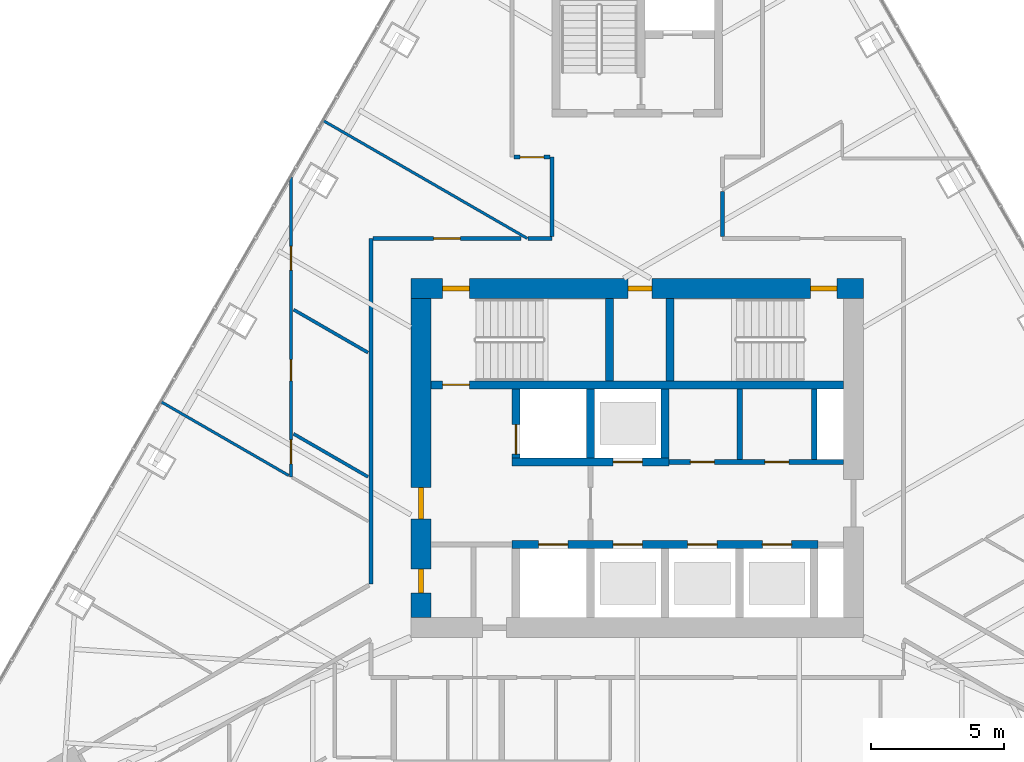
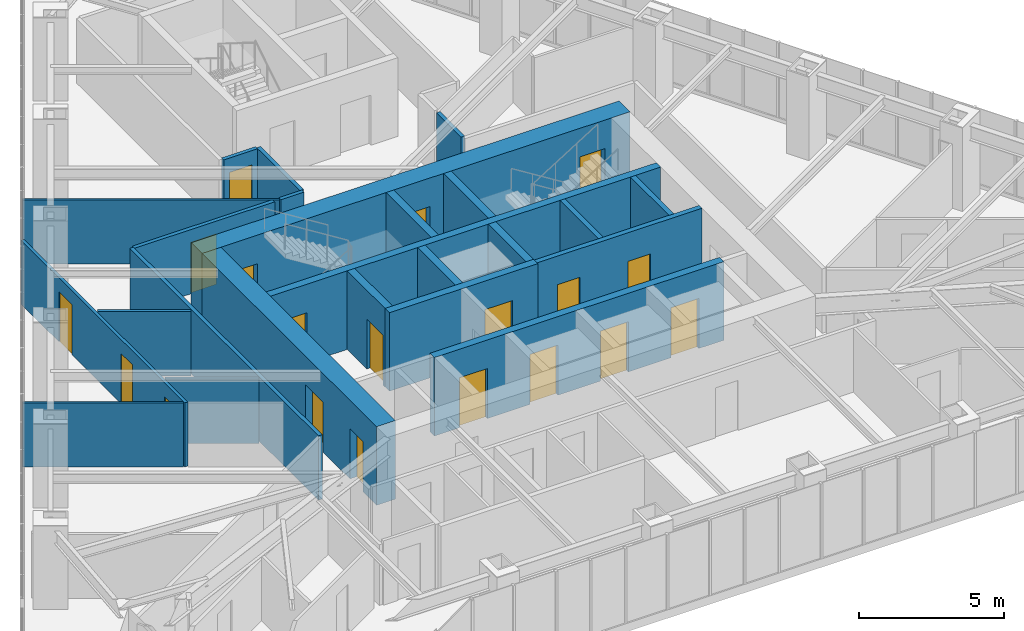
# One storey, part 16 of 20: 24 walls, 19 doors, 19 openings.
"""IFC4 building model written with IfcOpenShell, lengths in metres."""

from ifc_helpers import new_model, si_unit, direction, frame, frame_2d, origin, place, context, subcontext, project, spatial, rectangle, extrude, material, layer, layer_set, type_object, element, fill, save


model = new_model("IFC4")

# Units and contexts
model_context = context("Model", 3, precision=1e-05, world=origin(), true_north=direction((0.0, 1.0)))
body_context = subcontext(model_context, "Body", "Model", "MODEL_VIEW")
ifc_project = project(units=[si_unit("LENGTHUNIT", "METRE"), si_unit("AREAUNIT", "SQUARE_METRE"), si_unit("VOLUMEUNIT", "CUBIC_METRE"), si_unit("PLANEANGLEUNIT", "RADIAN"), si_unit("MASSUNIT", "GRAM", prefix="KILO")], contexts=[model_context])

# Site, building, storey
site_placement = place(None, origin())
site = spatial("IfcSite", under=ifc_project, at=site_placement, CompositionType="ELEMENT")
building_placement = place(site_placement, origin())
building = spatial("IfcBuilding", under=site, at=building_placement, Name="Firuza Gate Tower and Library", CompositionType="ELEMENT")
storey_placement = place(building_placement, frame((0.0, 0.0, 305.60009765625)))
storey = spatial("IfcBuildingStorey", under=building, at=storey_placement, Name="L74", CompositionType="ELEMENT", Elevation=305.60009765625)

# Wall, openings, doors
ifc_material_1 = material(Name="Plasterboard on steel studs", Category="steel")
ifc_layer_1 = layer(ifc_material_1, 0.199951171875)
ifc_layer_set_1 = layer_set([ifc_layer_1], Name="Core partition 200 EI 120")
wall_type_1 = type_object("IfcWallType", Name="Core partition 200 EI 120", PredefinedType="PARTITIONING", material=ifc_layer_set_1)
wall_1_placement = place(storey_placement, frame((76.199951171875, 74.85009765625, 0.0), z_axis=(0.0, 0.0, 1.0), x_axis=(1.0, 0.0, 0.0)))
wall_1 = element("IfcWall", 1, at=wall_1_placement, inside=storey, type_object=wall_type_1, Name="Core partition L74 3", PredefinedType="PARTITIONING", context=body_context, shape_type="SweptSolid", body=[
    extrude(rectangle(XDim=6.550048828125, YDim=0.199951171875, at=frame_2d((3.27490234375, 0.0))), origin(), (0.0, 0.0, 1.0), 3.2998046875),
])
opening_1_placement = place(wall_1_placement, frame((0.800048828125, 0.0, 0.0)))
opening_1 = element("IfcOpeningElement", 2, at=opening_1_placement, cuts=wall_1, Name="Opening L74-K19", PredefinedType="OPENING", context=body_context, shape_type="SweptSolid", body=[
    extrude(rectangle(XDim=0.89990234375, YDim=2.10009765625, at=frame_2d((0.449951171875, 1.050048828125))), frame((0.0, 0.10986328125, 0.0), z_axis=(0.0, -1.0, 0.0), x_axis=(1.0, 0.0, 0.0)), (0.0, 0.0, 1.0), 0.219970703125),
])
opening_2_placement = place(wall_1_placement, frame((3.60009765625, 0.0, 0.0)))
opening_2 = element("IfcOpeningElement", 3, at=opening_2_placement, cuts=wall_1, Name="Opening L74-K20", PredefinedType="OPENING", context=body_context, shape_type="SweptSolid", body=[
    extrude(rectangle(XDim=0.89990234375, YDim=2.10009765625, at=frame_2d((0.449951171875, 1.050048828125))), frame((0.0, 0.10986328125, 0.0), z_axis=(0.0, -1.0, 0.0), x_axis=(1.0, 0.0, 0.0)), (0.0, 0.0, 1.0), 0.219970703125),
])
ifc_material_2 = material(Name="Steel", Category="steel")
door_type_1 = type_object("IfcDoorType", Name="Fire door 900x2100 FD30S", OperationType="NOTDEFINED", PredefinedType="DOOR", material=ifc_material_2)
door_1_placement = place(opening_1_placement, origin())
door_1 = element("IfcDoor", 4, at=door_1_placement, inside=storey, type_object=door_type_1, Name="Door L74-K19", OperationType="SINGLE_SWING_RIGHT", OverallHeight=2.10009765625, OverallWidth=0.89990234375, PredefinedType="DOOR", context=body_context, shape_type="SweptSolid", body=[
    extrude(rectangle(XDim=0.89990234375, YDim=2.10009765625, at=frame_2d((0.449951171875, 1.050048828125))), frame((0.0, 0.02490234375, 0.0), z_axis=(0.0, -1.0, 0.0), x_axis=(1.0, 0.0, 0.0)), (0.0, 0.0, 1.0), 0.050048828125),
])
fill(opening_1, door_1)
door_2_placement = place(opening_2_placement, origin())
door_2 = element("IfcDoor", 5, at=door_2_placement, inside=storey, type_object=door_type_1, Name="Door L74-K20", OperationType="SINGLE_SWING_LEFT", OverallHeight=2.10009765625, OverallWidth=0.89990234375, PredefinedType="DOOR", context=body_context, shape_type="SweptSolid", body=[
    extrude(rectangle(XDim=0.89990234375, YDim=2.10009765625, at=frame_2d((0.449951171875, 1.050048828125))), frame((0.0, 0.02490234375, 0.0), z_axis=(0.0, -1.0, 0.0), x_axis=(1.0, 0.0, 0.0)), (0.0, 0.0, 1.0), 0.050048828125),
])
fill(opening_2, door_2)

# Walls
for number, where, z_axis, x_axis, name in (
    (6, (78.85009765625, 74.949951171875, 0.0), (0.0, 0.0, 1.0), (0.0, 1.0, 0.0), "Core partition L74 6"),
    (7, (81.64990234375, 74.949951171875, 0.0), (0.0, 0.0, 1.0), (0.0, 1.0, 0.0), "Core partition L74 7"),
):
    element("IfcWall", number, at=place(storey_placement, frame(where, z_axis=z_axis, x_axis=x_axis)), inside=storey, type_object=wall_type_1, Name=name, PredefinedType="PARTITIONING", context=body_context, shape_type="SweptSolid", body=[
        extrude(rectangle(XDim=2.650146484375, YDim=0.199951171875, at=frame_2d((1.3251953125, 0.0))), origin(), (0.0, 0.0, 1.0), 3.2998046875),
    ])

# Wall, openings, doors
ifc_material_3 = material(Name="Concrete C60/75", Category="concrete")
ifc_layer_2 = layer(ifc_material_3, 0.300048828125)
ifc_layer_set_2 = layer_set([ifc_layer_2], Name="Core wall 300 C60/75")
wall_type_2 = type_object("IfcWallType", Name="Core wall 300 C60/75", PredefinedType="SHEAR", material=ifc_layer_set_2)
wall_2_placement = place(storey_placement, frame((70.300048828125, 71.75, 0.0), z_axis=(0.0, 0.0, 1.0), x_axis=(1.0, 0.0, 0.0)))
wall_2 = element("IfcWall", 8, at=wall_2_placement, inside=storey, type_object=wall_type_2, Name="Core wall L74 5", PredefinedType="SHEAR", context=body_context, shape_type="SweptSolid", body=[
    extrude(rectangle(XDim=11.5, YDim=0.300048828125, at=frame_2d((5.75, 0.0))), origin(), (0.0, 0.0, 1.0), 3.2998046875),
])
opening_3_placement = place(wall_2_placement, frame((1.0, 0.0, 0.0)))
opening_3 = element("IfcOpeningElement", 9, at=opening_3_placement, cuts=wall_2, Name="Opening LD-FF1-L74", PredefinedType="OPENING", context=body_context, shape_type="SweptSolid", body=[
    extrude(rectangle(XDim=1.10009765625, YDim=2.10009765625, at=frame_2d((0.550048828125, 1.050048828125))), frame((0.0, 0.16015625, 0.0), z_axis=(0.0, -1.0, 0.0), x_axis=(1.0, 0.0, 0.0)), (0.0, 0.0, 1.0), 0.320068359375),
])
opening_4_placement = place(wall_2_placement, frame((3.800048828125, 0.0, 0.0)))
opening_4 = element("IfcOpeningElement", 10, at=opening_4_placement, cuts=wall_2, Name="Opening LD-HR1-L74", PredefinedType="OPENING", context=body_context, shape_type="SweptSolid", body=[
    extrude(rectangle(XDim=1.10009765625, YDim=2.10009765625, at=frame_2d((0.550048828125, 1.050048828125))), frame((0.0, 0.16015625, 0.0), z_axis=(0.0, -1.0, 0.0), x_axis=(1.0, 0.0, 0.0)), (0.0, 0.0, 1.0), 0.320068359375),
])
opening_5_placement = place(wall_2_placement, frame((6.60009765625, 0.0, 0.0)))
opening_5 = element("IfcOpeningElement", 11, at=opening_5_placement, cuts=wall_2, Name="Opening LD-HR2-L74", PredefinedType="OPENING", context=body_context, shape_type="SweptSolid", body=[
    extrude(rectangle(XDim=1.10009765625, YDim=2.10009765625, at=frame_2d((0.550048828125, 1.050048828125))), frame((0.0, 0.16015625, 0.0), z_axis=(0.0, -1.0, 0.0), x_axis=(1.0, 0.0, 0.0)), (0.0, 0.0, 1.0), 0.320068359375),
])
opening_6_placement = place(wall_2_placement, frame((9.39990234375, 0.0, 0.0)))
opening_6 = element("IfcOpeningElement", 12, at=opening_6_placement, cuts=wall_2, Name="Opening LD-HR3-L74", PredefinedType="OPENING", context=body_context, shape_type="SweptSolid", body=[
    extrude(rectangle(XDim=1.10009765625, YDim=2.10009765625, at=frame_2d((0.550048828125, 1.050048828125))), frame((0.0, 0.16015625, 0.0), z_axis=(0.0, -1.0, 0.0), x_axis=(1.0, 0.0, 0.0)), (0.0, 0.0, 1.0), 0.320068359375),
])
ifc_material_4 = material(Name="Stainless steel", Category="steel")
door_type_2 = type_object("IfcDoorType", Name="Lift landing door 1100x2100", OperationType="DOUBLE_DOOR_SLIDING", PredefinedType="DOOR", material=ifc_material_4)
door_3_placement = place(opening_3_placement, origin())
door_3 = element("IfcDoor", 13, at=door_3_placement, inside=storey, type_object=door_type_2, Name="Landing door FF1 L74", OperationType="DOUBLE_DOOR_SLIDING", OverallHeight=2.10009765625, OverallWidth=1.10009765625, PredefinedType="DOOR", context=body_context, shape_type="SweptSolid", body=[
    extrude(rectangle(XDim=1.10009765625, YDim=2.10009765625, at=frame_2d((0.550048828125, 1.050048828125))), frame((0.0, 0.02490234375, 0.0), z_axis=(0.0, -1.0, 0.0), x_axis=(1.0, 0.0, 0.0)), (0.0, 0.0, 1.0), 0.050048828125),
])
fill(opening_3, door_3)
door_4_placement = place(opening_4_placement, origin())
door_4 = element("IfcDoor", 14, at=door_4_placement, inside=storey, type_object=door_type_2, Name="Landing door HR1 L74", OperationType="DOUBLE_DOOR_SLIDING", OverallHeight=2.10009765625, OverallWidth=1.10009765625, PredefinedType="DOOR", context=body_context, shape_type="SweptSolid", body=[
    extrude(rectangle(XDim=1.10009765625, YDim=2.10009765625, at=frame_2d((0.550048828125, 1.050048828125))), frame((0.0, 0.02490234375, 0.0), z_axis=(0.0, -1.0, 0.0), x_axis=(1.0, 0.0, 0.0)), (0.0, 0.0, 1.0), 0.050048828125),
])
fill(opening_4, door_4)
door_5_placement = place(opening_5_placement, origin())
door_5 = element("IfcDoor", 15, at=door_5_placement, inside=storey, type_object=door_type_2, Name="Landing door HR2 L74", OperationType="DOUBLE_DOOR_SLIDING", OverallHeight=2.10009765625, OverallWidth=1.10009765625, PredefinedType="DOOR", context=body_context, shape_type="SweptSolid", body=[
    extrude(rectangle(XDim=1.10009765625, YDim=2.10009765625, at=frame_2d((0.550048828125, 1.050048828125))), frame((0.0, 0.02490234375, 0.0), z_axis=(0.0, -1.0, 0.0), x_axis=(1.0, 0.0, 0.0)), (0.0, 0.0, 1.0), 0.050048828125),
])
fill(opening_5, door_5)
door_6_placement = place(opening_6_placement, origin())
door_6 = element("IfcDoor", 16, at=door_6_placement, inside=storey, type_object=door_type_2, Name="Landing door HR3 L74", OperationType="DOUBLE_DOOR_SLIDING", OverallHeight=2.10009765625, OverallWidth=1.10009765625, PredefinedType="DOOR", context=body_context, shape_type="SweptSolid", body=[
    extrude(rectangle(XDim=1.10009765625, YDim=2.10009765625, at=frame_2d((0.550048828125, 1.050048828125))), frame((0.0, 0.02490234375, 0.0), z_axis=(0.0, -1.0, 0.0), x_axis=(1.0, 0.0, 0.0)), (0.0, 0.0, 1.0), 0.050048828125),
])
fill(opening_6, door_6)

# Wall, opening, door
wall_3_placement = place(storey_placement, frame((70.300048828125, 74.85009765625, 0.0), z_axis=(0.0, 0.0, 1.0), x_axis=(1.0, 0.0, 0.0)))
wall_3 = element("IfcWall", 17, at=wall_3_placement, inside=storey, type_object=wall_type_2, Name="Core wall L74 6", PredefinedType="SHEAR", context=body_context, shape_type="SweptSolid", body=[
    extrude(rectangle(XDim=5.89990234375, YDim=0.300048828125, at=frame_2d((2.949951171875, 0.0))), origin(), (0.0, 0.0, 1.0), 3.2998046875),
])
opening_7_placement = place(wall_3_placement, frame((3.800048828125, 0.0, 0.0)))
opening_7 = element("IfcOpeningElement", 18, at=opening_7_placement, cuts=wall_3, Name="Opening LD-HR4-L74", PredefinedType="OPENING", context=body_context, shape_type="SweptSolid", body=[
    extrude(rectangle(XDim=1.10009765625, YDim=2.10009765625, at=frame_2d((0.550048828125, 1.050048828125))), frame((0.0, 0.16015625, 0.0), z_axis=(0.0, -1.0, 0.0), x_axis=(1.0, 0.0, 0.0)), (0.0, 0.0, 1.0), 0.320068359375),
])
door_7_placement = place(opening_7_placement, origin())
door_7 = element("IfcDoor", 19, at=door_7_placement, inside=storey, type_object=door_type_2, Name="Landing door HR4 L74", OperationType="DOUBLE_DOOR_SLIDING", OverallHeight=2.10009765625, OverallWidth=1.10009765625, PredefinedType="DOOR", context=body_context, shape_type="SweptSolid", body=[
    extrude(rectangle(XDim=1.10009765625, YDim=2.10009765625, at=frame_2d((0.550048828125, 1.050048828125))), frame((0.0, 0.02490234375, 0.0), z_axis=(0.0, -1.0, 0.0), x_axis=(1.0, 0.0, 0.0)), (0.0, 0.0, 1.0), 0.050048828125),
])
fill(opening_7, door_7)

wall_4_placement = place(storey_placement, frame((70.449951171875, 75.0, 0.0), z_axis=(0.0, 0.0, 1.0), x_axis=(0.0, 1.0, 0.0)))
wall_4 = element("IfcWall", 20, at=wall_4_placement, inside=storey, type_object=wall_type_2, Name="Core wall L74 8", PredefinedType="SHEAR", context=body_context, shape_type="SweptSolid", body=[
    extrude(rectangle(XDim=2.60009765625, YDim=0.300048828125, at=frame_2d((1.300048828125, 0.0))), origin(), (0.0, 0.0, 1.0), 3.2998046875),
])
opening_8_placement = place(wall_4_placement, frame((0.14990234375, 0.0, 0.0)))
opening_8 = element("IfcOpeningElement", 21, at=opening_8_placement, cuts=wall_4, Name="Opening LD-FF2-L74", PredefinedType="OPENING", context=body_context, shape_type="SweptSolid", body=[
    extrude(rectangle(XDim=1.10009765625, YDim=2.10009765625, at=frame_2d((0.550048828125, 1.050048828125))), frame((0.0, 0.16015625, 0.0), z_axis=(0.0, -1.0, 0.0), x_axis=(1.0, 0.0, 0.0)), (0.0, 0.0, 1.0), 0.320068359375),
])
door_8_placement = place(opening_8_placement, origin())
door_8 = element("IfcDoor", 22, at=door_8_placement, inside=storey, type_object=door_type_2, Name="Landing door FF2 L74", OperationType="DOUBLE_DOOR_SLIDING", OverallHeight=2.10009765625, OverallWidth=1.10009765625, PredefinedType="DOOR", context=body_context, shape_type="SweptSolid", body=[
    extrude(rectangle(XDim=1.10009765625, YDim=2.10009765625, at=frame_2d((0.550048828125, 1.050048828125))), frame((0.0, 0.02490234375, 0.0), z_axis=(0.0, -1.0, 0.0), x_axis=(1.0, 0.0, 0.0)), (0.0, 0.0, 1.0), 0.050048828125),
])
fill(opening_8, door_8)

# Walls
for number, where, z_axis, x_axis, name in (
    (23, (73.25, 75.0, 0.0), (0.0, 0.0, 1.0), (0.0, 1.0, 0.0), "Core wall L74 10"),
    (24, (76.050048828125, 75.0, 0.0), (0.0, 0.0, 1.0), (0.0, 1.0, 0.0), "Core wall L74 12"),
):
    element("IfcWall", number, at=place(storey_placement, frame(where, z_axis=z_axis, x_axis=x_axis)), inside=storey, type_object=wall_type_2, Name=name, PredefinedType="SHEAR", context=body_context, shape_type="SweptSolid", body=[
        extrude(rectangle(XDim=2.60009765625, YDim=0.300048828125, at=frame_2d((1.300048828125, 0.0))), origin(), (0.0, 0.0, 1.0), 3.2998046875),
    ])

# Wall, opening, door
wall_5_placement = place(storey_placement, frame((67.25, 77.75, 0.0), z_axis=(0.0, 0.0, 1.0), x_axis=(1.0, 0.0, 0.0)))
wall_5 = element("IfcWall", 25, at=wall_5_placement, inside=storey, type_object=wall_type_2, Name="Core wall L74 15", PredefinedType="SHEAR", context=body_context, shape_type="SweptSolid", body=[
    extrude(rectangle(XDim=15.5, YDim=0.300048828125, at=frame_2d((7.75, 0.0))), origin(), (0.0, 0.0, 1.0), 3.2998046875),
])
opening_9_placement = place(wall_5_placement, frame((0.445068359375, 0.0, 0.0)))
opening_9 = element("IfcOpeningElement", 26, at=opening_9_placement, cuts=wall_5, Name="Opening L74-K08", PredefinedType="OPENING", context=body_context, shape_type="SweptSolid", body=[
    extrude(rectangle(XDim=1.0, YDim=2.10009765625, at=frame_2d((0.5, 1.050048828125))), frame((0.0, 0.16015625, 0.0), z_axis=(0.0, -1.0, 0.0), x_axis=(1.0, 0.0, 0.0)), (0.0, 0.0, 1.0), 0.320068359375),
])
ifc_material_5 = material(Name="Steel", Category="steel")
door_type_3 = type_object("IfcDoorType", Name="Fire door 1000x2100 FD90", OperationType="NOTDEFINED", PredefinedType="DOOR", material=ifc_material_5)
door_9_placement = place(opening_9_placement, origin())
door_9 = element("IfcDoor", 27, at=door_9_placement, inside=storey, type_object=door_type_3, Name="Door L74-K08", OperationType="SINGLE_SWING_LEFT", OverallHeight=2.10009765625, OverallWidth=1.0, PredefinedType="DOOR", context=body_context, shape_type="SweptSolid", body=[
    extrude(rectangle(XDim=1.0, YDim=2.10009765625, at=frame_2d((0.5, 1.050048828125))), frame((0.0, 0.02490234375, 0.0), z_axis=(0.0, -1.0, 0.0), x_axis=(1.0, 0.0, 0.0)), (0.0, 0.0, 1.0), 0.050048828125),
])
fill(opening_9, door_9)

# Walls
for number, where, z_axis, x_axis, name in (
    (28, (73.9599609375, 77.89990234375, 0.0), (0.0, 0.0, 1.0), (0.0, 1.0, 0.0), "Core wall L74 16"),
    (29, (76.239990234375, 77.89990234375, 0.0), (0.0, 0.0, 1.0), (0.0, 1.0, 0.0), "Core wall L74 17"),
):
    element("IfcWall", number, at=place(storey_placement, frame(where, z_axis=z_axis, x_axis=x_axis)), inside=storey, type_object=wall_type_2, Name=name, PredefinedType="SHEAR", context=body_context, shape_type="SweptSolid", body=[
        extrude(rectangle(XDim=3.10009765625, YDim=0.300048828125, at=frame_2d((1.550048828125, 0.0))), origin(), (0.0, 0.0, 1.0), 3.2998046875),
    ])

# Wall, openings, doors
ifc_material_6 = material(Name="Concrete C60/75", Category="concrete")
ifc_layer_3 = layer(ifc_material_6, 0.75)
ifc_layer_set_3 = layer_set([ifc_layer_3], Name="Core wall 750 C60/75")
wall_type_3 = type_object("IfcWallType", Name="Core wall 750 C60/75", PredefinedType="SHEAR", material=ifc_layer_set_3)
wall_6_placement = place(storey_placement, frame((66.5, 81.375, 0.0), z_axis=(0.0, 0.0, 1.0), x_axis=(1.0, 0.0, 0.0)))
wall_6 = element("IfcWall", 30, at=wall_6_placement, inside=storey, type_object=wall_type_3, Name="Core wall L74 2", PredefinedType="SHEAR", context=body_context, shape_type="SweptSolid", body=[
    extrude(rectangle(XDim=17.0, YDim=0.75, at=frame_2d((8.5, 0.0))), origin(), (0.0, 0.0, 1.0), 3.2998046875),
])
opening_10_placement = place(wall_6_placement, frame((1.195068359375, 0.0, 0.0)))
opening_10 = element("IfcOpeningElement", 31, at=opening_10_placement, cuts=wall_6, Name="Opening L74-K09", PredefinedType="OPENING", context=body_context, shape_type="SweptSolid", body=[
    extrude(rectangle(XDim=1.0, YDim=2.10009765625, at=frame_2d((0.5, 1.050048828125))), frame((0.0, 0.385009765625, 0.0), z_axis=(0.0, -1.0, 0.0), x_axis=(1.0, 0.0, 0.0)), (0.0, 0.0, 1.0), 0.77001953125),
])
opening_11_placement = place(wall_6_placement, frame((15.0048828125, 0.0, 0.0)))
opening_11 = element("IfcOpeningElement", 32, at=opening_11_placement, cuts=wall_6, Name="Opening L74-K10", PredefinedType="OPENING", context=body_context, shape_type="SweptSolid", body=[
    extrude(rectangle(XDim=1.0, YDim=2.10009765625, at=frame_2d((0.5, 1.050048828125))), frame((0.0, 0.385009765625, 0.0), z_axis=(0.0, -1.0, 0.0), x_axis=(1.0, 0.0, 0.0)), (0.0, 0.0, 1.0), 0.77001953125),
])
opening_12_placement = place(wall_6_placement, frame((8.14990234375, 0.0, 0.0)))
opening_12 = element("IfcOpeningElement", 33, at=opening_12_placement, cuts=wall_6, Name="Opening L74-K21", PredefinedType="OPENING", context=body_context, shape_type="SweptSolid", body=[
    extrude(rectangle(XDim=0.89990234375, YDim=2.10009765625, at=frame_2d((0.449951171875, 1.050048828125))), frame((0.0, 0.385009765625, 0.0), z_axis=(0.0, -1.0, 0.0), x_axis=(1.0, 0.0, 0.0)), (0.0, 0.0, 1.0), 0.77001953125),
])
door_10_placement = place(opening_10_placement, origin())
door_10 = element("IfcDoor", 34, at=door_10_placement, inside=storey, type_object=door_type_3, Name="Door L74-K09", OperationType="SINGLE_SWING_RIGHT", OverallHeight=2.10009765625, OverallWidth=1.0, PredefinedType="DOOR", context=body_context, shape_type="SweptSolid", body=[
    extrude(rectangle(XDim=1.0, YDim=2.10009765625, at=frame_2d((0.5, 1.050048828125))), frame((0.0, 0.094970703125, 0.0), z_axis=(0.0, -1.0, 0.0), x_axis=(1.0, 0.0, 0.0)), (0.0, 0.0, 1.0), 0.18994140625),
])
fill(opening_10, door_10)
door_11_placement = place(opening_11_placement, origin())
door_11 = element("IfcDoor", 35, at=door_11_placement, inside=storey, type_object=door_type_3, Name="Door L74-K10", OperationType="SINGLE_SWING_LEFT", OverallHeight=2.10009765625, OverallWidth=1.0, PredefinedType="DOOR", context=body_context, shape_type="SweptSolid", body=[
    extrude(rectangle(XDim=1.0, YDim=2.10009765625, at=frame_2d((0.5, 1.050048828125))), frame((0.0, 0.094970703125, 0.0), z_axis=(0.0, -1.0, 0.0), x_axis=(1.0, 0.0, 0.0)), (0.0, 0.0, 1.0), 0.18994140625),
])
fill(opening_11, door_11)
door_12_placement = place(opening_12_placement, origin())
door_12 = element("IfcDoor", 36, at=door_12_placement, inside=storey, type_object=door_type_1, Name="Door L74-K21", OperationType="SINGLE_SWING_RIGHT", OverallHeight=2.10009765625, OverallWidth=0.89990234375, PredefinedType="DOOR", context=body_context, shape_type="SweptSolid", body=[
    extrude(rectangle(XDim=0.89990234375, YDim=2.10009765625, at=frame_2d((0.449951171875, 1.050048828125))), frame((0.0, 0.094970703125, 0.0), z_axis=(0.0, -1.0, 0.0), x_axis=(1.0, 0.0, 0.0)), (0.0, 0.0, 1.0), 0.18994140625),
])
fill(opening_12, door_12)

wall_7_placement = place(storey_placement, frame((66.875, 69.0, 0.0), z_axis=(0.0, 0.0, 1.0), x_axis=(0.0, 1.0, 0.0)))
wall_7 = element("IfcWall", 37, at=wall_7_placement, inside=storey, type_object=wall_type_3, Name="Core wall L74 3", PredefinedType="SHEAR", context=body_context, shape_type="SweptSolid", body=[
    extrude(rectangle(XDim=12.0, YDim=0.75, at=frame_2d((6.0, 0.0))), origin(), (0.0, 0.0, 1.0), 3.2998046875),
])
opening_13_placement = place(wall_7_placement, frame((3.699951171875, 0.0, 0.0)))
opening_13 = element("IfcOpeningElement", 38, at=opening_13_placement, cuts=wall_7, Name="Opening L74-K15", PredefinedType="OPENING", context=body_context, shape_type="SweptSolid", body=[
    extrude(rectangle(XDim=1.199951171875, YDim=2.10009765625, at=frame_2d((0.60009765625, 1.050048828125))), frame((0.0, 0.385009765625, 0.0), z_axis=(0.0, -1.0, 0.0), x_axis=(1.0, 0.0, 0.0)), (0.0, 0.0, 1.0), 0.77001953125),
])
opening_14_placement = place(wall_7_placement, frame((0.925048828125, 0.0, 0.0)))
opening_14 = element("IfcOpeningElement", 39, at=opening_14_placement, cuts=wall_7, Name="Opening L74-K17", PredefinedType="OPENING", context=body_context, shape_type="SweptSolid", body=[
    extrude(rectangle(XDim=0.89990234375, YDim=2.10009765625, at=frame_2d((0.449951171875, 1.050048828125))), frame((0.0, 0.385009765625, 0.0), z_axis=(0.0, -1.0, 0.0), x_axis=(1.0, 0.0, 0.0)), (0.0, 0.0, 1.0), 0.77001953125),
])
ifc_material_7 = material(Name="Steel", Category="steel")
door_type_4 = type_object("IfcDoorType", Name="Fire door 1200x2100 FD90S", OperationType="NOTDEFINED", PredefinedType="DOOR", material=ifc_material_7)
door_13_placement = place(opening_13_placement, origin())
door_13 = element("IfcDoor", 40, at=door_13_placement, inside=storey, type_object=door_type_4, Name="Door L74-K15", OperationType="SINGLE_SWING_RIGHT", OverallHeight=2.10009765625, OverallWidth=1.199951171875, PredefinedType="DOOR", context=body_context, shape_type="SweptSolid", body=[
    extrude(rectangle(XDim=1.199951171875, YDim=2.10009765625, at=frame_2d((0.60009765625, 1.050048828125))), frame((0.0, 0.094970703125, 0.0), z_axis=(0.0, -1.0, 0.0), x_axis=(1.0, 0.0, 0.0)), (0.0, 0.0, 1.0), 0.18994140625),
])
fill(opening_13, door_13)
door_14_placement = place(opening_14_placement, origin())
door_14 = element("IfcDoor", 41, at=door_14_placement, inside=storey, type_object=door_type_1, Name="Door L74-K17", OperationType="SINGLE_SWING_RIGHT", OverallHeight=2.10009765625, OverallWidth=0.89990234375, PredefinedType="DOOR", context=body_context, shape_type="SweptSolid", body=[
    extrude(rectangle(XDim=0.89990234375, YDim=2.10009765625, at=frame_2d((0.449951171875, 1.050048828125))), frame((0.0, 0.094970703125, 0.0), z_axis=(0.0, -1.0, 0.0), x_axis=(1.0, 0.0, 0.0)), (0.0, 0.0, 1.0), 0.18994140625),
])
fill(opening_14, door_14)

# Wall, opening, door
ifc_material_8 = material(Name="Gypsum board partition")
ifc_layer_4 = layer(ifc_material_8, 0.14990234375)
ifc_layer_set_4 = layer_set([ifc_layer_4], Name="Corridor wall 150 double board on steel studs")
wall_type_4 = type_object("IfcWallType", Name="Corridor wall 150 double board on steel studs", PredefinedType="PARTITIONING", material=ifc_layer_set_4)
wall_8_placement = place(storey_placement, frame((65.075439453125, 83.25, 0.0), z_axis=(0.0, 0.0, 1.0), x_axis=(1.0, 0.0, 0.0)))
wall_8 = element("IfcWall", 42, at=wall_8_placement, inside=storey, type_object=wall_type_4, Name="f:L74:w005", PredefinedType="PARTITIONING", context=body_context, shape_type="SweptSolid", body=[
    extrude(rectangle(XDim=5.5654296875, YDim=0.14990234375, at=frame_2d((2.78271484375, 0.0))), origin(), (0.0, 0.0, 1.0), 2.699951171875),
])
opening_15_placement = place(wall_8_placement, frame((2.28271484375, 0.0, 0.0)))
opening_15 = element("IfcOpeningElement", 43, at=opening_15_placement, cuts=wall_8, Name="Opening L74-08", PredefinedType="OPENING", context=body_context, shape_type="SweptSolid", body=[
    extrude(rectangle(XDim=1.0, YDim=2.10009765625, at=frame_2d((0.5, 1.050048828125))), frame((0.0, 0.0849609375, 0.0), z_axis=(0.0, -1.0, 0.0), x_axis=(1.0, 0.0, 0.0)), (0.0, 0.0, 1.0), 0.169921875),
])
ifc_material_9 = material(Name="Steel door and timber leaf", Category="steel")
door_type_5 = type_object("IfcDoorType", Name="Fire door 1000 x 2100 steel frame, timber leaf", OperationType="NOTDEFINED", PredefinedType="DOOR", material=ifc_material_9)
door_15_placement = place(opening_15_placement, origin())
door_15 = element("IfcDoor", 44, at=door_15_placement, inside=storey, type_object=door_type_5, Name="f:L74:d008", OperationType="SINGLE_SWING_RIGHT", OverallHeight=2.10009765625, OverallWidth=1.0, PredefinedType="DOOR", context=body_context, shape_type="SweptSolid", body=[
    extrude(rectangle(XDim=1.0, YDim=2.10009765625, at=frame_2d((0.5, 1.050048828125))), frame((0.0, 0.02490234375, 0.0), z_axis=(0.0, -1.0, 0.0), x_axis=(1.0, 0.0, 0.0)), (0.0, 0.0, 1.0), 0.050048828125),
])
fill(opening_15, door_15)

wall_9_placement = place(storey_placement, frame((70.376953125, 86.300048828125, 0.0), z_axis=(0.0, 0.0, 1.0), x_axis=(1.0, 0.0, 0.0)))
wall_9 = element("IfcWall", 45, at=wall_9_placement, inside=storey, type_object=wall_type_4, Name="f:L74:w008", PredefinedType="PARTITIONING", context=body_context, shape_type="SweptSolid", body=[
    extrude(rectangle(XDim=1.347900390625, YDim=0.14990234375, at=frame_2d((0.673828125, 0.0))), origin(), (0.0, 0.0, 1.0), 2.699951171875),
])
opening_16_placement = place(wall_9_placement, frame((0.223876953125, 0.0, 0.0)))
opening_16 = element("IfcOpeningElement", 46, at=opening_16_placement, cuts=wall_9, Name="Opening L74-10", PredefinedType="OPENING", context=body_context, shape_type="SweptSolid", body=[
    extrude(rectangle(XDim=0.89990234375, YDim=2.10009765625, at=frame_2d((0.449951171875, 1.050048828125))), frame((0.0, 0.0849609375, 0.0), z_axis=(0.0, -1.0, 0.0), x_axis=(1.0, 0.0, 0.0)), (0.0, 0.0, 1.0), 0.169921875),
])
ifc_material_10 = material(Name="Steel door and timber leaf", Category="steel")
door_type_6 = type_object("IfcDoorType", Name="Fire door 900 x 2100 steel frame, timber leaf", OperationType="NOTDEFINED", PredefinedType="DOOR", material=ifc_material_10)
door_16_placement = place(opening_16_placement, origin())
door_16 = element("IfcDoor", 47, at=door_16_placement, inside=storey, type_object=door_type_6, Name="f:L74:d010", OperationType="SINGLE_SWING_LEFT", OverallHeight=2.10009765625, OverallWidth=0.89990234375, PredefinedType="DOOR", context=body_context, shape_type="SweptSolid", body=[
    extrude(rectangle(XDim=0.89990234375, YDim=2.10009765625, at=frame_2d((0.449951171875, 1.050048828125))), frame((0.0, 0.02490234375, 0.0), z_axis=(0.0, -1.0, 0.0), x_axis=(1.0, 0.0, 0.0)), (0.0, 0.0, 1.0), 0.050048828125),
])
fill(opening_16, door_16)

# Walls
wall_10_placement = place(storey_placement, frame((78.199951171875, 83.324951171875, 0.0), z_axis=(0.0, 0.0, 1.0), x_axis=(0.0, 1.0, 0.0)))
element("IfcWall", 48, at=wall_10_placement, inside=storey, type_object=wall_type_4, Name="f:L74:w034", PredefinedType="PARTITIONING", context=body_context, shape_type="SweptSolid", body=[
    extrude(rectangle(XDim=1.691650390625, YDim=0.14990234375, at=frame_2d((0.845703125, 0.0))), origin(), (0.0, 0.0, 1.0), 2.699951171875),
])
wall_11_placement = place(storey_placement, frame((71.800048828125, 83.324951171875, 0.0), z_axis=(0.0, 0.0, 1.0), x_axis=(0.0, 1.0, 0.0)))
element("IfcWall", 49, at=wall_11_placement, inside=storey, type_object=wall_type_4, Name="f:L74:w041", PredefinedType="PARTITIONING", context=body_context, shape_type="SweptSolid", body=[
    extrude(rectangle(XDim=2.97509765625, YDim=0.14990234375, at=frame_2d((1.487548828125, 0.0))), origin(), (0.0, 0.0, 1.0), 2.699951171875),
])
wall_12_placement = place(storey_placement, frame((65.0, 70.265625, 0.0), z_axis=(0.0, 0.0, 1.0), x_axis=(0.0, 1.0, 0.0)))
element("IfcWall", 50, at=wall_12_placement, inside=storey, type_object=wall_type_4, Name="f:L74:w047", PredefinedType="PARTITIONING", context=body_context, shape_type="SweptSolid", body=[
    extrude(rectangle(XDim=12.98388671875, YDim=0.14990234375, at=frame_2d((6.491943359375, 0.0))), origin(), (0.0, 0.0, 1.0), 2.699951171875),
])
wall_13_placement = place(storey_placement, frame((70.8955078125, 83.25, 0.0), z_axis=(0.0, 0.0, 1.0), x_axis=(1.0, 0.0, 0.0)))
element("IfcWall", 51, at=wall_13_placement, inside=storey, type_object=wall_type_4, Name="f:L74:w068", PredefinedType="PARTITIONING", context=body_context, shape_type="SweptSolid", body=[
    extrude(rectangle(XDim=0.904541015625, YDim=0.14990234375, at=frame_2d((0.4521484375, 0.0))), origin(), (0.0, 0.0, 1.0), 2.699951171875),
])
ifc_material_11 = material(Name="Gypsum board partition")
ifc_layer_5 = layer(ifc_material_11, 0.10009765625)
ifc_layer_set_5 = layer_set([ifc_layer_5], Name="Partition 100 gypsum board on steel studs")
wall_type_5 = type_object("IfcWallType", Name="Partition 100 gypsum board on steel studs", PredefinedType="PARTITIONING", material=ifc_layer_set_5)
wall_14_placement = place(storey_placement, frame((70.87060546875, 83.25, 0.0), z_axis=(0.0, 0.0, 1.0), x_axis=(-0.866018527528, 0.500011909837, 0.0)))
element("IfcWall", 52, at=wall_14_placement, inside=storey, type_object=wall_type_5, Name="f:L74:w055", PredefinedType="PARTITIONING", context=body_context, shape_type="SweptSolid", body=[
    extrude(rectangle(XDim=8.834228515625, YDim=0.10009765625, at=frame_2d((4.4169921875, 0.0))), origin(), (0.0, 0.0, 1.0), 2.68798828125),
])
wall_15_placement = place(storey_placement, frame((61.9150390625, 74.342529296875, 0.0), z_axis=(0.0, 0.0, 1.0), x_axis=(-0.866023907196, 0.500002592159, 0.0)))
element("IfcWall", 53, at=wall_15_placement, inside=storey, type_object=wall_type_5, Name="f:L74:w071", PredefinedType="PARTITIONING", context=body_context, shape_type="SweptSolid", body=[
    extrude(rectangle(XDim=5.5322265625, YDim=0.10009765625, at=frame_2d((2.76611328125, 0.0))), origin(), (0.0, 0.0, 1.0), 2.68798828125),
])

# Wall, openings, doors
ifc_material_12 = material(Name="Gypsum board partition")
ifc_layer_6 = layer(ifc_material_12, 0.1201171875)
ifc_layer_set_6 = layer_set([ifc_layer_6], Name="Wet-area partition 120 moisture-resistant board")
wall_type_6 = type_object("IfcWallType", Name="Wet-area partition 120 moisture-resistant board", PredefinedType="PARTITIONING", material=ifc_layer_set_6)
wall_16_placement = place(storey_placement, frame((62.0, 85.553955078125, 0.0), z_axis=(0.0, 0.0, 1.0), x_axis=(0.0, -1.0, 0.0)))
wall_16 = element("IfcWall", 54, at=wall_16_placement, inside=storey, type_object=wall_type_6, Name="f:L74:w049", PredefinedType="PARTITIONING", context=body_context, shape_type="SweptSolid", body=[
    extrude(rectangle(XDim=11.2607421875, YDim=0.1201171875, at=frame_2d((5.63037109375, 0.0))), origin(), (0.0, 0.0, 1.0), 2.68798828125),
])
opening_17_placement = place(wall_16_placement, frame((2.60009765625, 0.0, 0.0)))
opening_17 = element("IfcOpeningElement", 55, at=opening_17_placement, cuts=wall_16, Name="Opening L74-18", PredefinedType="OPENING", context=body_context, shape_type="SweptSolid", body=[
    extrude(rectangle(XDim=0.89990234375, YDim=2.10009765625, at=frame_2d((0.449951171875, 1.050048828125))), frame((0.0, 0.070068359375, 0.0), z_axis=(0.0, -1.0, 0.0), x_axis=(1.0, 0.0, 0.0)), (0.0, 0.0, 1.0), 0.14013671875),
])
opening_18_placement = place(wall_16_placement, frame((6.858642578125, 0.0, 0.0)))
opening_18 = element("IfcOpeningElement", 56, at=opening_18_placement, cuts=wall_16, Name="Opening L74-19", PredefinedType="OPENING", context=body_context, shape_type="SweptSolid", body=[
    extrude(rectangle(XDim=0.800048828125, YDim=2.10009765625, at=frame_2d((0.39990234375, 1.050048828125))), frame((0.0, 0.070068359375, 0.0), z_axis=(0.0, -1.0, 0.0), x_axis=(1.0, 0.0, 0.0)), (0.0, 0.0, 1.0), 0.14013671875),
])
opening_19_placement = place(wall_16_placement, frame((9.876220703125, 0.0, 0.0)))
opening_19 = element("IfcOpeningElement", 57, at=opening_19_placement, cuts=wall_16, Name="Opening L74-20", PredefinedType="OPENING", context=body_context, shape_type="SweptSolid", body=[
    extrude(rectangle(XDim=0.89990234375, YDim=2.10009765625, at=frame_2d((0.449951171875, 1.050048828125))), frame((0.0, 0.070068359375, 0.0), z_axis=(0.0, -1.0, 0.0), x_axis=(1.0, 0.0, 0.0)), (0.0, 0.0, 1.0), 0.14013671875),
])
ifc_material_13 = material(Name="Timber door", Category="wood")
door_type_7 = type_object("IfcDoorType", Name="Door 800 x 2100 timber leaf", OperationType="NOTDEFINED", PredefinedType="DOOR", material=ifc_material_13)
door_17_placement = place(opening_18_placement, origin())
door_17 = element("IfcDoor", 58, at=door_17_placement, inside=storey, type_object=door_type_7, Name="f:L74:d019", OperationType="SINGLE_SWING_RIGHT", OverallHeight=2.10009765625, OverallWidth=0.800048828125, PredefinedType="DOOR", context=body_context, shape_type="SweptSolid", body=[
    extrude(rectangle(XDim=0.800048828125, YDim=2.10009765625, at=frame_2d((0.39990234375, 1.050048828125))), frame((0.0, 0.02490234375, 0.0), z_axis=(0.0, -1.0, 0.0), x_axis=(1.0, 0.0, 0.0)), (0.0, 0.0, 1.0), 0.050048828125),
])
fill(opening_18, door_17)
ifc_material_14 = material(Name="Timber door", Category="wood")
door_type_8 = type_object("IfcDoorType", Name="Door 900 x 2100 timber leaf", OperationType="NOTDEFINED", PredefinedType="DOOR", material=ifc_material_14)
door_18_placement = place(opening_17_placement, origin())
door_18 = element("IfcDoor", 59, at=door_18_placement, inside=storey, type_object=door_type_8, Name="f:L74:d018", OperationType="SINGLE_SWING_RIGHT", OverallHeight=2.10009765625, OverallWidth=0.89990234375, PredefinedType="DOOR", context=body_context, shape_type="SweptSolid", body=[
    extrude(rectangle(XDim=0.89990234375, YDim=2.10009765625, at=frame_2d((0.449951171875, 1.050048828125))), frame((0.0, 0.02490234375, 0.0), z_axis=(0.0, -1.0, 0.0), x_axis=(1.0, 0.0, 0.0)), (0.0, 0.0, 1.0), 0.050048828125),
])
fill(opening_17, door_18)
door_19_placement = place(opening_19_placement, origin())
door_19 = element("IfcDoor", 60, at=door_19_placement, inside=storey, type_object=door_type_8, Name="f:L74:d020", OperationType="SINGLE_SWING_LEFT", OverallHeight=2.10009765625, OverallWidth=0.89990234375, PredefinedType="DOOR", context=body_context, shape_type="SweptSolid", body=[
    extrude(rectangle(XDim=0.89990234375, YDim=2.10009765625, at=frame_2d((0.449951171875, 1.050048828125))), frame((0.0, 0.02490234375, 0.0), z_axis=(0.0, -1.0, 0.0), x_axis=(1.0, 0.0, 0.0)), (0.0, 0.0, 1.0), 0.050048828125),
])
fill(opening_19, door_19)

# Walls
for number, where, z_axis, x_axis, name in (
    (61, (64.89013671875, 78.95947265625, 0.0), (0.0, 0.0, 1.0), (-0.866033195618, 0.499986503906, 0.0), "f:L74:w061"),
    (62, (64.890380859375, 74.293212890625, 0.0), (0.0, 0.0, 1.0), (-0.866033195618, 0.499986503906, 0.0), "f:L74:w063"),
):
    element("IfcWall", number, at=place(storey_placement, frame(where, z_axis=z_axis, x_axis=x_axis)), inside=storey, type_object=wall_type_6, Name=name, PredefinedType="PARTITIONING", context=body_context, shape_type="SweptSolid", body=[
        extrude(rectangle(XDim=3.22802734375, YDim=0.1201171875, at=frame_2d((1.614013671875, 0.0))), origin(), (0.0, 0.0, 1.0), 2.699951171875),
    ])

save(model, "model.ifc")
